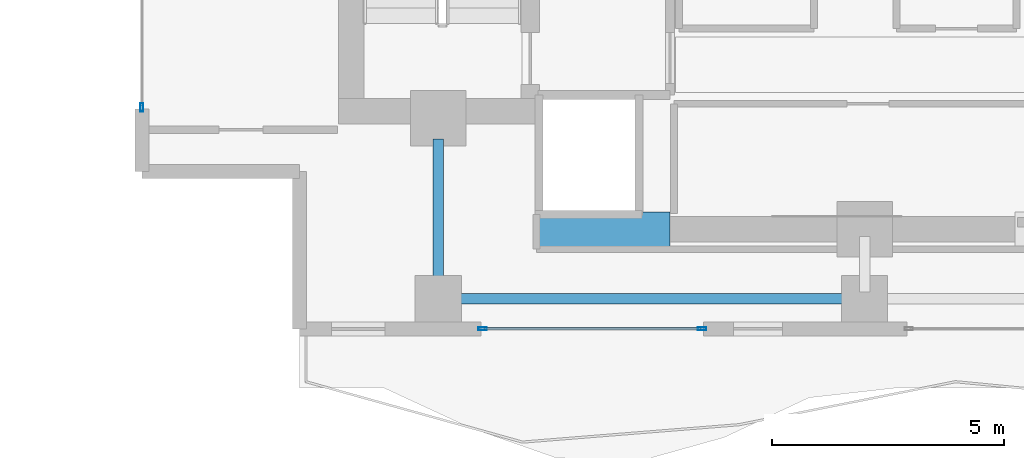
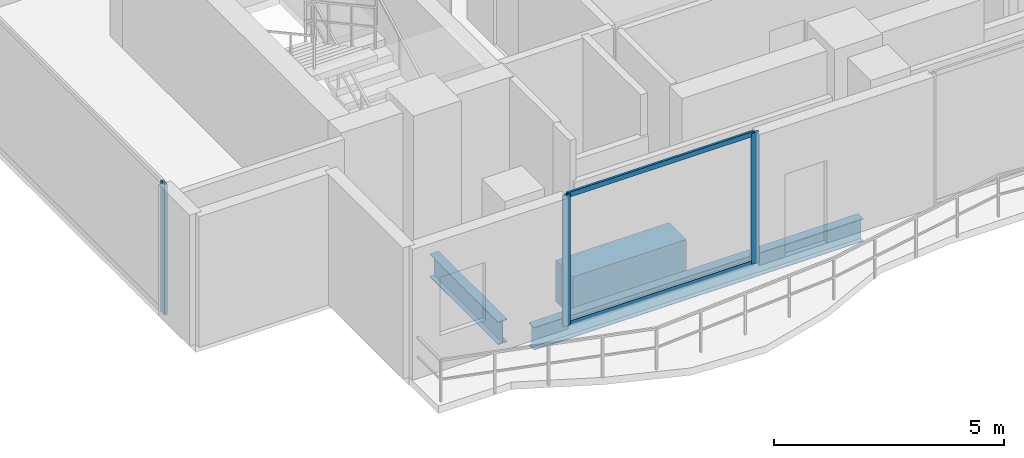
# One storey, part 2 of 25: 5 members, 3 beams, 2 elements without a shape of their own.
"""IFC4 building model written with IfcOpenShell, lengths in metres."""

from ifc_helpers import new_model, si_unit, direction, frame, origin, origin_2d, place, context, subcontext, project, spatial, rectangle, hollow_rectangle, i_section, extrude, material, layer, layer_set, material_profile, profile_set, type_object, element, aggregate, save


model = new_model("IFC4")

# Units and contexts
model_context = context("Model", 3, precision=1e-05, world=origin(), true_north=direction((0.0, 1.0)))
body_context = subcontext(model_context, "Body", "Model", "MODEL_VIEW")
ifc_project = project(units=[si_unit("LENGTHUNIT", "METRE"), si_unit("AREAUNIT", "SQUARE_METRE"), si_unit("VOLUMEUNIT", "CUBIC_METRE"), si_unit("PLANEANGLEUNIT", "RADIAN"), si_unit("MASSUNIT", "GRAM", prefix="KILO")], contexts=[model_context])

# Site, building, storey
site_placement = place(None, origin())
site = spatial("IfcSite", under=ifc_project, at=site_placement, CompositionType="ELEMENT")
building_placement = place(site_placement, origin())
building = spatial("IfcBuilding", under=site, at=building_placement, Name="Zuhayl Quay Hotel", CompositionType="ELEMENT")
storey_placement = place(building_placement, frame((0.0, 0.0, 258.14990234375)))
storey = spatial("IfcBuildingStorey", under=building, at=storey_placement, Name="L65", CompositionType="ELEMENT", Elevation=258.14990234375)

# Beams
ifc_material_1 = material(Name="Steel ASTM A992 Grade 50", Category="steel")
ifc_material_profile_1 = material_profile(ifc_material_1, i_section(OverallWidth=0.22802734375, OverallDepth=0.60693359375, WebThickness=0.01123046875, FlangeThickness=0.017333984375, at=origin_2d()), Name="W24X76")
ifc_profile_set_1 = profile_set([ifc_material_profile_1], Name="Steel ASTM A992 Grade 50")
beam_type_1 = type_object("IfcBeamType", Name="BM_B3_W24X76", PredefinedType="BEAM", material=ifc_profile_set_1)
beam_1_placement = place(storey_placement, frame((-13.340087890625, 0.64990234375, -0.5234375), z_axis=(1.0, 0.0, 0.0), x_axis=(0.0, 1.0, 0.0)))
element("IfcBeam", 1, at=beam_1_placement, inside=storey, type_object=beam_type_1, Name="L65 Floor Beam RG_L65_01", PredefinedType="BEAM", context=body_context, shape_type="SweptSolid", body=[
    extrude(i_section(OverallWidth=0.22802734375, OverallDepth=0.60693359375, WebThickness=0.01123046875, FlangeThickness=0.017333984375, at=origin_2d()), origin(), (0.0, 0.0, 1.0), 8.280029296875),
])
beam_2_placement = place(storey_placement, frame((-13.800048828125, 1.110107421875, -0.5234375), z_axis=(0.0, 1.0, 0.0), x_axis=(-1.0, 0.0, 0.0)))
element("IfcBeam", 2, at=beam_2_placement, inside=storey, type_object=beam_type_1, Name="L65 Floor Beam FG_S_L65_1", PredefinedType="BEAM", context=body_context, shape_type="SweptSolid", body=[
    extrude(i_section(OverallWidth=0.22802734375, OverallDepth=0.60693359375, WebThickness=0.01123046875, FlangeThickness=0.017333984375, at=origin_2d()), origin(), (0.0, 0.0, 1.0), 2.989990234375),
])
ifc_material_2 = material(Name="Concrete C60/75", Category="concrete")
ifc_material_profile_2 = material_profile(ifc_material_2, rectangle(XDim=0.75, YDim=1.10009765625, at=origin_2d()), Name="RC750X1100")
ifc_profile_set_2 = profile_set([ifc_material_profile_2], Name="Concrete C60/75")
beam_type_2 = type_object("IfcBeamType", Name="BM_CB2_RC750", PredefinedType="T_BEAM", material=ifc_profile_set_2)
beam_3_placement = place(storey_placement, frame((-11.64990234375, 2.14990234375, -0.77001953125), z_axis=(1.0, 0.0, 0.0), x_axis=(0.0, 1.0, 0.0)))
element("IfcBeam", 3, at=beam_3_placement, inside=storey, type_object=beam_type_2, Name="L65 Core Coupling Beam SW", PredefinedType="T_BEAM", context=body_context, shape_type="SweptSolid", body=[
    extrude(rectangle(XDim=0.75, YDim=1.10009765625, at=origin_2d()), origin(), (0.0, 0.0, 1.0), 2.849853515625),
])

# Curtain wall, member
ifc_material_3 = material(Name="Anodised Aluminium 6063-T6", Category="aluminium")
ifc_layer = layer(ifc_material_3, 0.169921875, Name="Anodised Aluminium 6063-T6", Category="aluminium")
ifc_layer_set = layer_set([ifc_layer], Name="Anodised Aluminium 6063-T6")
curtain_wall_type = type_object("IfcCurtainWallType", Name="CW_SYS_Z4", PredefinedType="USERDEFINED", material=ifc_layer_set)
curtain_wall_1_placement = place(storey_placement, origin())
curtain_wall_1 = element("IfcCurtainWall", 4, at=curtain_wall_1_placement, inside=storey, type_object=curtain_wall_type, Name="L65 Curtain Wall ENV_L65_E02_CW1", ObjectType="UNITISED CURTAIN WALL", PredefinedType="USERDEFINED")
ifc_material_4 = material(Name="Black-anodised aluminium 6063-T6", Category="aluminium")
ifc_material_profile_3 = material_profile(ifc_material_4, hollow_rectangle(XDim=0.06494140625, YDim=0.179931640625, WallThickness=0.00341796875, at=origin_2d()), Name="ALU180X65")
ifc_profile_set_3 = profile_set([ifc_material_profile_3], Name="Black-anodised aluminium 6063-T6")
member_type_1 = type_object("IfcMemberType", Name="MB_CW_MUL_180", PredefinedType="MULLION", material=ifc_profile_set_3)
member_1_placement = place(storey_placement, frame((-20.199951171875, 4.782470703125, 0.0), z_axis=(0.0, 0.0, 1.0), x_axis=(-1.0, 0.0, 0.0)))
member_1 = element("IfcMember", 5, at=member_1_placement, type_object=member_type_1, Name="CW-Z4 mullion 1", PredefinedType="MULLION", context=body_context, shape_type="SweptSolid", body=[
    extrude(hollow_rectangle(XDim=0.06494140625, YDim=0.179931640625, WallThickness=0.00341796875, at=origin_2d()), origin(), (0.0, 0.0, 1.0), 3.47998046875),
])
aggregate(curtain_wall_1, [member_1])

# Curtain wall, members
curtain_wall_2_placement = place(storey_placement, origin())
curtain_wall_2 = element("IfcCurtainWall", 6, at=curtain_wall_2_placement, inside=storey, type_object=curtain_wall_type, Name="L65 Curtain Wall ENV_L65_S_CW4", ObjectType="UNITISED CURTAIN WALL", PredefinedType="USERDEFINED")
member_2_placement = place(storey_placement, frame((-8.107421875, 0.0, 0.0), z_axis=(0.0, 0.0, 1.0), x_axis=(0.0, -1.0, 0.0)))
member_2 = element("IfcMember", 7, at=member_2_placement, type_object=member_type_1, Name="CW-Z4 mullion 1", PredefinedType="MULLION", context=body_context, shape_type="SweptSolid", body=[
    extrude(hollow_rectangle(XDim=0.06494140625, YDim=0.179931640625, WallThickness=0.00341796875, at=origin_2d()), origin(), (0.0, 0.0, 1.0), 3.47998046875),
])
member_3_placement = place(storey_placement, frame((-12.847412109375, 0.0, 0.0), z_axis=(0.0, 0.0, 1.0), x_axis=(0.0, -1.0, 0.0)))
member_3 = element("IfcMember", 8, at=member_3_placement, type_object=member_type_1, Name="CW-Z4 mullion 2", PredefinedType="MULLION", context=body_context, shape_type="SweptSolid", body=[
    extrude(hollow_rectangle(XDim=0.06494140625, YDim=0.179931640625, WallThickness=0.00341796875, at=origin_2d()), origin(), (0.0, 0.0, 1.0), 3.47998046875),
])
ifc_material_profile_4 = material_profile(ifc_material_4, hollow_rectangle(XDim=0.054931640625, YDim=0.1298828125, WallThickness=0.0029296875, at=origin_2d()), Name="ALU130X55")
ifc_profile_set_4 = profile_set([ifc_material_profile_4], Name="Black-anodised aluminium 6063-T6")
member_type_2 = type_object("IfcMemberType", Name="MB_CW_TRN_130", PredefinedType="USERDEFINED", material=ifc_profile_set_4)
member_4_placement = place(storey_placement, frame((-8.139892578125, 0.0, 0.027587890625), z_axis=(-1.0, 0.0, 0.0), x_axis=(0.0, -1.0, 0.0)))
member_4 = element("IfcMember", 9, at=member_4_placement, type_object=member_type_2, Name="CW-Z4 transom 1.1", ObjectType="TRANSOM", PredefinedType="USERDEFINED", context=body_context, shape_type="SweptSolid", body=[
    extrude(hollow_rectangle(XDim=0.054931640625, YDim=0.1298828125, WallThickness=0.0029296875, at=origin_2d()), origin(), (0.0, 0.0, 1.0), 4.675048828125),
])
member_5_placement = place(storey_placement, frame((-8.139892578125, 0.0, 3.45263671875), z_axis=(-1.0, 0.0, 0.0), x_axis=(0.0, -1.0, 0.0)))
member_5 = element("IfcMember", 10, at=member_5_placement, type_object=member_type_2, Name="CW-Z4 transom 1.2", ObjectType="TRANSOM", PredefinedType="USERDEFINED", context=body_context, shape_type="SweptSolid", body=[
    extrude(hollow_rectangle(XDim=0.054931640625, YDim=0.1298828125, WallThickness=0.0029296875, at=origin_2d()), origin(), (0.0, 0.0, 1.0), 4.675048828125),
])
aggregate(curtain_wall_2, [member_2, member_3, member_4, member_5])

save(model, "model.ifc")
